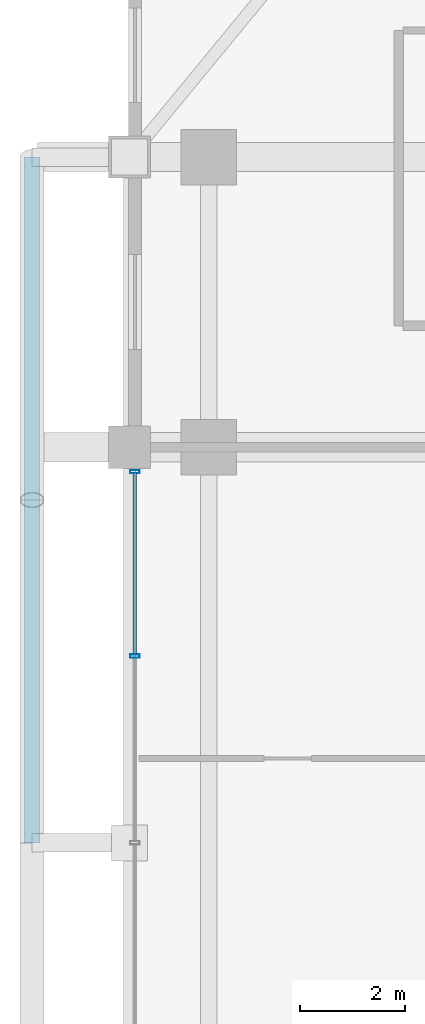
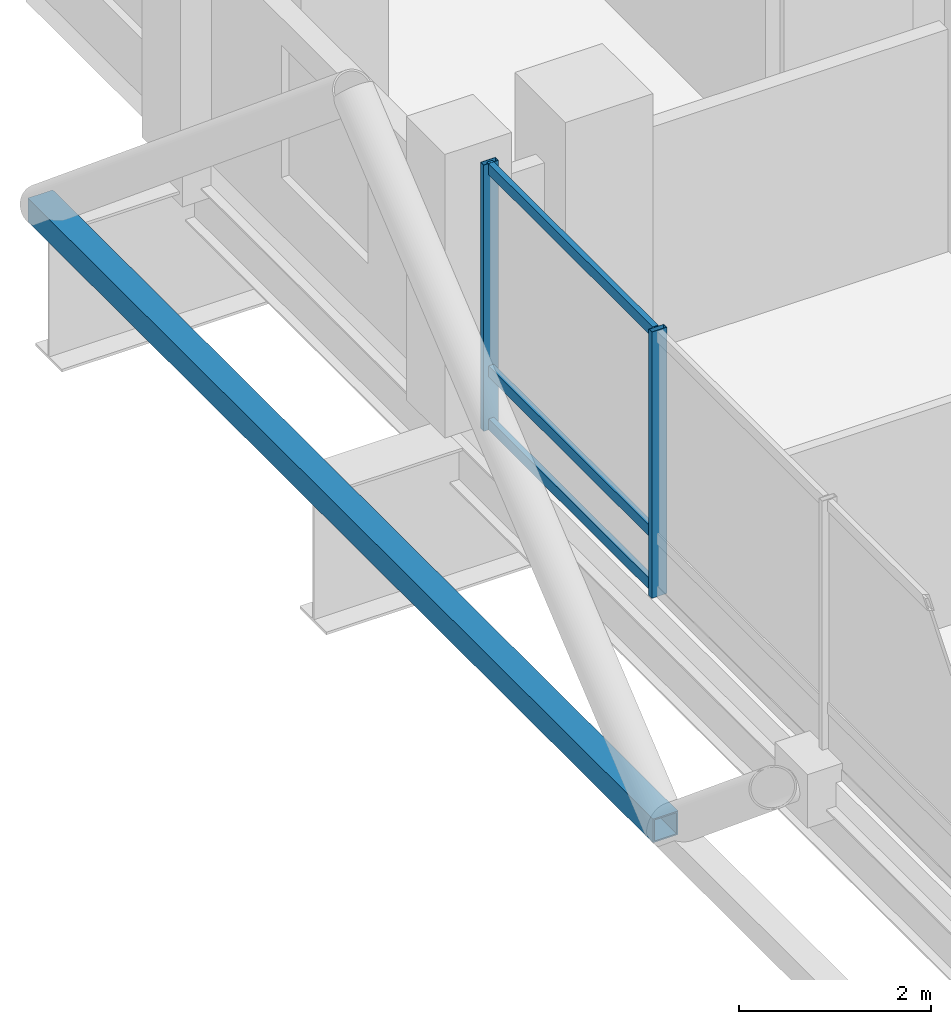
# One storey, part 4 of 23: 6 members, 1 element without a shape of its own.
"""IFC4 building model written with IfcOpenShell, lengths in metres."""

from ifc_helpers import new_model, si_unit, direction, frame, origin, origin_2d, place, context, subcontext, project, spatial, hollow_rectangle, extrude, material, layer, layer_set, material_profile, profile_set, type_object, element, aggregate, save


model = new_model("IFC4")

# Units and contexts
model_context = context("Model", 3, precision=1e-05, world=origin(), true_north=direction((0.0, 1.0)))
body_context = subcontext(model_context, "Body", "Model", "MODEL_VIEW")
ifc_project = project(units=[si_unit("LENGTHUNIT", "METRE"), si_unit("AREAUNIT", "SQUARE_METRE"), si_unit("VOLUMEUNIT", "CUBIC_METRE"), si_unit("PLANEANGLEUNIT", "RADIAN"), si_unit("MASSUNIT", "GRAM", prefix="KILO")], contexts=[model_context])

# Site, building, storey
site_placement = place(None, origin())
site = spatial("IfcSite", under=ifc_project, at=site_placement, CompositionType="ELEMENT")
building_placement = place(site_placement, origin())
building = spatial("IfcBuilding", under=site, at=building_placement, Name="Barlavira Tower and Art Museum", CompositionType="ELEMENT")
storey_placement = place(building_placement, frame((0.0, 0.0, 165.60009765625)))
storey = spatial("IfcBuildingStorey", under=building, at=storey_placement, Name="L42", CompositionType="ELEMENT", Elevation=165.60009765625)

# Curtain wall, members
ifc_material_1 = material(Name="Low-iron coastal laminated glass", Category="glass")
ifc_layer = layer(ifc_material_1, 0.199951171875, Name="Low-iron coastal laminated glass")
ifc_layer_set = layer_set([ifc_layer], Name="Low-iron coastal laminated glass")
curtain_wall_type = type_object("IfcCurtainWallType", Name="Pale-Metal Unitised Curtain Wall Zone 3", PredefinedType="NOTDEFINED", material=ifc_layer_set)
curtain_wall_placement = place(storey_placement, origin())
curtain_wall = element("IfcCurtainWall", 1, at=curtain_wall_placement, inside=storey, type_object=curtain_wall_type, Name="L42 Curtain Wall CW3-L42-W-B3", PredefinedType="NOTDEFINED")
ifc_material_2 = material(Name="Pale anodised aluminium", Category="aluminium")
ifc_material_profile_1 = material_profile(ifc_material_2, hollow_rectangle(XDim=0.06494140625, YDim=0.179931640625, WallThickness=0.00390625, at=origin_2d()), Name="ALU-MULL 65x180x4")
ifc_profile_set_1 = profile_set([ifc_material_profile_1], Name="Pale anodised aluminium")
member_type_1 = type_object("IfcMemberType", Name="Curtain Wall Pale-Metal Mullion 65x180", PredefinedType="MULLION", material=ifc_profile_set_1)
member_1_placement = place(storey_placement, frame((-18.39990234375, 7.034912109375, 0.0), z_axis=(0.0, 0.0, 1.0), x_axis=(0.0, -1.0, 0.0)))
member_1 = element("IfcMember", 2, at=member_1_placement, type_object=member_type_1, Name="CW3-L42-W-B3 Mullion 0", PredefinedType="MULLION", context=body_context, shape_type="SweptSolid", body=[
    extrude(hollow_rectangle(XDim=0.06494140625, YDim=0.179931640625, WallThickness=0.00390625, at=origin_2d()), origin(), (0.0, 0.0, 1.0), 3.3798828125),
])
member_2_placement = place(storey_placement, frame((-18.39990234375, 3.5400390625, 0.0), z_axis=(0.0, 0.0, 1.0), x_axis=(0.0, -1.0, 0.0)))
member_2 = element("IfcMember", 3, at=member_2_placement, type_object=member_type_1, Name="CW3-L42-W-B3 Mullion 1", PredefinedType="MULLION", context=body_context, shape_type="SweptSolid", body=[
    extrude(hollow_rectangle(XDim=0.06494140625, YDim=0.179931640625, WallThickness=0.00390625, at=origin_2d()), origin(), (0.0, 0.0, 1.0), 3.3798828125),
])
ifc_material_profile_2 = material_profile(ifc_material_2, hollow_rectangle(XDim=0.06494140625, YDim=0.139892578125, WallThickness=0.00390625, at=origin_2d()), Name="ALU-TRAN 65x140x4")
ifc_profile_set_2 = profile_set([ifc_material_profile_2], Name="Pale anodised aluminium")
member_type_2 = type_object("IfcMemberType", Name="Curtain Wall Pale-Metal Transom 65x140", PredefinedType="USERDEFINED", material=ifc_profile_set_2)
member_3_placement = place(storey_placement, frame((-18.39990234375, 7.034912109375, 0.06982421875), z_axis=(0.0, -1.0, 0.0), x_axis=(1.0, 0.0, 0.0)))
member_3 = element("IfcMember", 4, at=member_3_placement, type_object=member_type_2, Name="CW3-L42-W-B3 Transom 0.1", ObjectType="TRANSOM", PredefinedType="USERDEFINED", context=body_context, shape_type="SweptSolid", body=[
    extrude(hollow_rectangle(XDim=0.06494140625, YDim=0.139892578125, WallThickness=0.00390625, at=origin_2d()), origin(), (0.0, 0.0, 1.0), 3.449951171875),
])
member_4_placement = place(storey_placement, frame((-18.39990234375, 7.034912109375, 0.743896484375), z_axis=(0.0, -1.0, 0.0), x_axis=(1.0, 0.0, 0.0)))
member_4 = element("IfcMember", 5, at=member_4_placement, type_object=member_type_2, Name="CW3-L42-W-B3 Transom 0.2", ObjectType="TRANSOM", PredefinedType="USERDEFINED", context=body_context, shape_type="SweptSolid", body=[
    extrude(hollow_rectangle(XDim=0.06494140625, YDim=0.139892578125, WallThickness=0.00390625, at=origin_2d()), origin(), (0.0, 0.0, 1.0), 3.449951171875),
])
member_5_placement = place(storey_placement, frame((-18.39990234375, 7.034912109375, 3.309814453125), z_axis=(0.0, -1.0, 0.0), x_axis=(1.0, 0.0, 0.0)))
member_5 = element("IfcMember", 6, at=member_5_placement, type_object=member_type_2, Name="CW3-L42-W-B3 Transom 0.3", ObjectType="TRANSOM", PredefinedType="USERDEFINED", context=body_context, shape_type="SweptSolid", body=[
    extrude(hollow_rectangle(XDim=0.06494140625, YDim=0.139892578125, WallThickness=0.00390625, at=origin_2d()), origin(), (0.0, 0.0, 1.0), 3.449951171875),
])
aggregate(curtain_wall, [member_1, member_2, member_3, member_4, member_5])

# Member
ifc_material_3 = material(Name="Steel S355", Category="steel")
ifc_material_profile_3 = material_profile(ifc_material_3, hollow_rectangle(XDim=0.300048828125, YDim=0.300048828125, WallThickness=0.01611328125, at=origin_2d()), Name="SHS 300x300x16.0")
ifc_profile_set_3 = profile_set([ifc_material_profile_3], Name="Steel S355")
member_type_3 = type_object("IfcMemberType", Name="Pale-Metal Upper Ring Strut SHS 300x300x16 Steel S355", PredefinedType="STRUT", material=ifc_profile_set_3)
member_6_placement = place(storey_placement, frame((-20.35009765625, 0.0, -0.1201171875), z_axis=(0.0, 1.0, 0.0), x_axis=(-1.0, 0.0, 0.0)))
element("IfcMember", 7, at=member_6_placement, inside=storey, type_object=member_type_3, Name="L42 Exoskeleton Ring Strut W", PredefinedType="STRUT", context=body_context, shape_type="SweptSolid", body=[
    extrude(hollow_rectangle(XDim=0.300048828125, YDim=0.300048828125, WallThickness=0.01611328125, at=origin_2d()), origin(), (0.0, 0.0, 1.0), 13.0),
])

save(model, "model.ifc")
